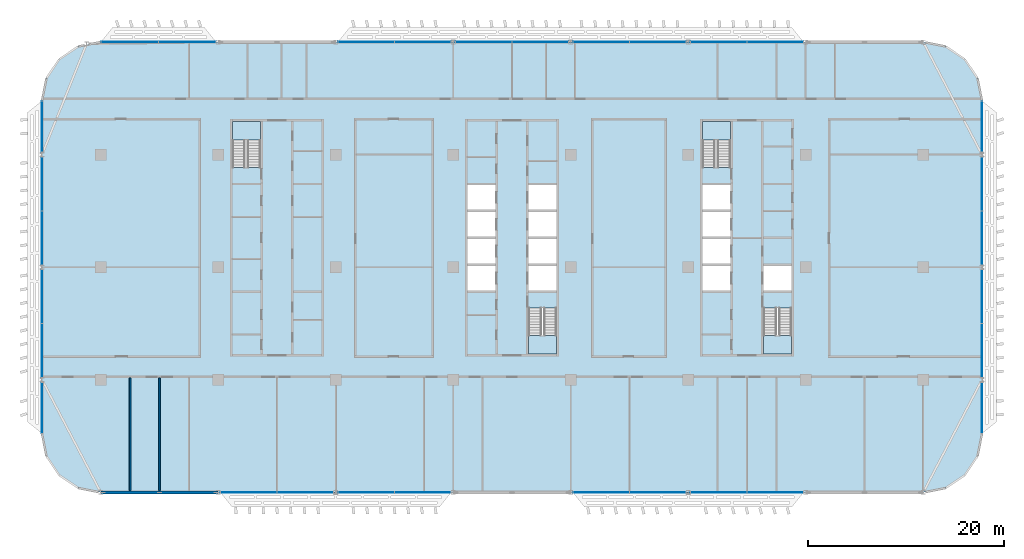
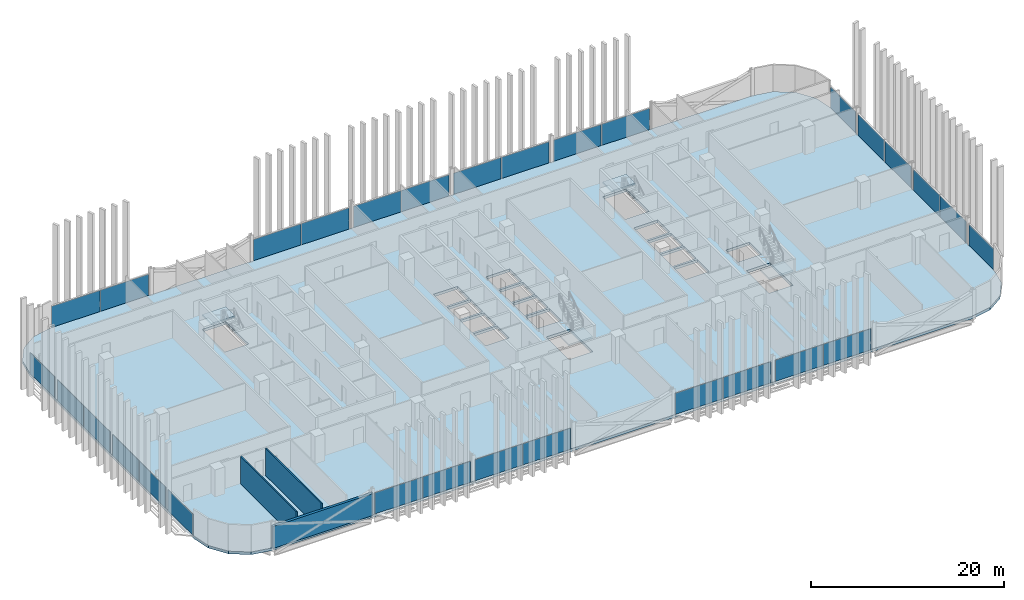
# One storey, part 11 of 28: 30 plates, 5 slabs, 3 walls, 21 elements without a shape of their own.
"""IFC4 building model written with IfcOpenShell, lengths in metres."""

from ifc_helpers import new_model, si_unit, direction, frame, frame_2d, origin, origin_2d, place, context, subcontext, project, spatial, polyline, rectangle, outline, extrude, material, layer, layer_set, type_object, element, aggregate, save


model = new_model("IFC4")

# Units and contexts
model_context = context("Model", 3, precision=1e-05, world=origin(), true_north=direction((0.0, 1.0)))
body_context = subcontext(model_context, "Body", "Model", "MODEL_VIEW")
ifc_project = project(units=[si_unit("LENGTHUNIT", "METRE"), si_unit("AREAUNIT", "SQUARE_METRE"), si_unit("VOLUMEUNIT", "CUBIC_METRE"), si_unit("PLANEANGLEUNIT", "RADIAN"), si_unit("MASSUNIT", "GRAM", prefix="KILO")], contexts=[model_context])

# Site, building, storey
site_placement = place(None, origin())
site = spatial("IfcSite", under=ifc_project, at=site_placement, CompositionType="ELEMENT")
building_placement = place(site_placement, origin())
building = spatial("IfcBuilding", under=site, at=building_placement, Name="Mahtab Terrace Research Tower", CompositionType="ELEMENT")
storey_placement = place(building_placement, frame((0.0, 0.0, 174.39990234375)))
storey = spatial("IfcBuildingStorey", under=building, at=storey_placement, Name="L41", CompositionType="ELEMENT", Elevation=174.39990234375)

# Stair, slab
ifc_material_1 = material(Name="Exit stair half-turn")
stair_type = type_object("IfcStairType", Name="Exit stair half-turn", PredefinedType="HALF_TURN_STAIR", material=ifc_material_1)
stair_1_placement = place(storey_placement, origin())
stair_1 = element("IfcStair", 1, at=stair_1_placement, inside=storey, type_object=stair_type, Name="L41 Protected exit stair ST1", PredefinedType="HALF_TURN_STAIR")
ifc_material_2 = material(Name="Concrete C40/50", Category="concrete")
ifc_layer_1 = layer(ifc_material_2, 0.199951171875)
ifc_layer_set_1 = layer_set([ifc_layer_1], Name="Exit stair landing 200")
slab_type_1 = type_object("IfcSlabType", Name="Exit stair landing 200", PredefinedType="LANDING", material=ifc_layer_set_1)
slab_1_placement = place(storey_placement, frame((0.0, 0.0, 1.7001953125)))
slab_1 = element("IfcSlab", 2, at=slab_1_placement, type_object=slab_type_1, Name="ST1 landing 1", PredefinedType="LANDING", context=body_context, shape_type="SweptSolid", body=[
    extrude(outline(polyline([(-25.699951171875, 12.97509765625), (-25.699951171875, 14.875), (-28.550048828125, 14.875), (-28.550048828125, 12.97509765625), (-25.699951171875, 12.97509765625)])), origin(), (0.0, 0.0, 1.0), 0.199951171875),
])
aggregate(stair_1, [slab_1])

stair_2_placement = place(storey_placement, origin())
stair_2 = element("IfcStair", 3, at=stair_2_placement, inside=storey, type_object=stair_type, Name="L41 Protected exit stair ST2", PredefinedType="HALF_TURN_STAIR")
slab_2_placement = place(storey_placement, frame((0.0, 0.0, 1.7001953125)))
slab_2 = element("IfcSlab", 4, at=slab_2_placement, type_object=slab_type_1, Name="ST2 landing 1", PredefinedType="LANDING", context=body_context, shape_type="SweptSolid", body=[
    extrude(outline(polyline([(1.699951171875, -6.97509765625), (1.699951171875, -8.875), (4.550048828125, -8.875), (4.550048828125, -6.97509765625), (1.699951171875, -6.97509765625)])), origin(), (0.0, 0.0, 1.0), 0.199951171875),
])
aggregate(stair_2, [slab_2])

stair_3_placement = place(storey_placement, origin())
stair_3 = element("IfcStair", 5, at=stair_3_placement, inside=storey, type_object=stair_type, Name="L41 Protected exit stair ST3", PredefinedType="HALF_TURN_STAIR")
slab_3_placement = place(storey_placement, frame((0.0, 0.0, 1.7001953125)))
slab_3 = element("IfcSlab", 6, at=slab_3_placement, type_object=slab_type_1, Name="ST3 landing 1", PredefinedType="LANDING", context=body_context, shape_type="SweptSolid", body=[
    extrude(outline(polyline([(22.300048828125, 12.97509765625), (22.300048828125, 14.875), (19.449951171875, 14.875), (19.449951171875, 12.97509765625), (22.300048828125, 12.97509765625)])), origin(), (0.0, 0.0, 1.0), 0.199951171875),
])
aggregate(stair_3, [slab_3])

stair_4_placement = place(storey_placement, origin())
stair_4 = element("IfcStair", 7, at=stair_4_placement, inside=storey, type_object=stair_type, Name="L41 Protected exit stair ST4", PredefinedType="HALF_TURN_STAIR")
slab_4_placement = place(storey_placement, frame((0.0, 0.0, 1.7001953125)))
slab_4 = element("IfcSlab", 8, at=slab_4_placement, type_object=slab_type_1, Name="ST4 landing 1", PredefinedType="LANDING", context=body_context, shape_type="SweptSolid", body=[
    extrude(outline(polyline([(25.699951171875, -6.97509765625), (25.699951171875, -8.875), (28.550048828125, -8.875), (28.550048828125, -6.97509765625), (25.699951171875, -6.97509765625)])), origin(), (0.0, 0.0, 1.0), 0.199951171875),
])
aggregate(stair_4, [slab_4])

# Curtain wall, plates
ifc_material_3 = material(Name="Laboratory ribbon curtain wall")
curtain_wall_type = type_object("IfcCurtainWallType", Name="Laboratory ribbon curtain wall", PredefinedType="NOTDEFINED", material=ifc_material_3)
curtain_wall_1_placement = place(storey_placement, origin())
curtain_wall_1 = element("IfcCurtainWall", 9, at=curtain_wall_1_placement, inside=storey, type_object=curtain_wall_type, Name="EN.L41.3.4", PredefinedType="NOTDEFINED")
ifc_material_4 = material(Name="Dark glazing", Category="glass")
ifc_layer_2 = layer(ifc_material_4, 0.031982421875)
ifc_layer_set_2 = layer_set([ifc_layer_2], Name="Laboratory ribbon curtain wall glazing panel")
plate_type = type_object("IfcPlateType", Name="Laboratory ribbon curtain wall glazing panel", PredefinedType="CURTAIN_PANEL", material=ifc_layer_set_2)
plate_1_placement = place(storey_placement, frame((26.879638671875, 23.0, 0.0), z_axis=(0.0, 0.0, 1.0), x_axis=(-1.0, 0.0, 0.0)))
plate_1 = element("IfcPlate", 10, at=plate_1_placement, type_object=plate_type, Name="CWL-5 panel 1", PredefinedType="CURTAIN_PANEL", context=body_context, shape_type="SweptSolid", body=[
    extrude(rectangle(XDim=5.694580078125, YDim=0.031982421875, at=origin_2d()), origin(), (0.0, 0.0, 1.0), 2.681884765625),
])
plate_2_placement = place(storey_placement, frame((21.120361328125, 23.0, 0.0), z_axis=(0.0, 0.0, 1.0), x_axis=(-1.0, 0.0, 0.0)))
plate_2 = element("IfcPlate", 11, at=plate_2_placement, type_object=plate_type, Name="CWL-5 panel 2", PredefinedType="CURTAIN_PANEL", context=body_context, shape_type="SweptSolid", body=[
    extrude(rectangle(XDim=5.694580078125, YDim=0.031982421875, at=origin_2d()), origin(), (0.0, 0.0, 1.0), 2.681884765625),
])
aggregate(curtain_wall_1, [plate_1, plate_2])

curtain_wall_2_placement = place(storey_placement, origin())
curtain_wall_2 = element("IfcCurtainWall", 12, at=curtain_wall_2_placement, inside=storey, type_object=curtain_wall_type, Name="EN.L41.3.5", PredefinedType="NOTDEFINED")
plate_3_placement = place(storey_placement, frame((14.879638671875, 23.0, 0.0), z_axis=(0.0, 0.0, 1.0), x_axis=(-1.0, 0.0, 0.0)))
plate_3 = element("IfcPlate", 13, at=plate_3_placement, type_object=plate_type, Name="CWL-5 panel 1", PredefinedType="CURTAIN_PANEL", context=body_context, shape_type="SweptSolid", body=[
    extrude(rectangle(XDim=5.694580078125, YDim=0.031982421875, at=origin_2d()), origin(), (0.0, 0.0, 1.0), 2.681884765625),
])
plate_4_placement = place(storey_placement, frame((9.120361328125, 23.0, 0.0), z_axis=(0.0, 0.0, 1.0), x_axis=(-1.0, 0.0, 0.0)))
plate_4 = element("IfcPlate", 14, at=plate_4_placement, type_object=plate_type, Name="CWL-5 panel 2", PredefinedType="CURTAIN_PANEL", context=body_context, shape_type="SweptSolid", body=[
    extrude(rectangle(XDim=5.694580078125, YDim=0.031982421875, at=origin_2d()), origin(), (0.0, 0.0, 1.0), 2.681884765625),
])
aggregate(curtain_wall_2, [plate_3, plate_4])

curtain_wall_3_placement = place(storey_placement, origin())
curtain_wall_3 = element("IfcCurtainWall", 15, at=curtain_wall_3_placement, inside=storey, type_object=curtain_wall_type, Name="EN.L41.3.6", PredefinedType="NOTDEFINED")
plate_5_placement = place(storey_placement, frame((2.879638671875, 23.0, 0.0), z_axis=(0.0, 0.0, 1.0), x_axis=(-1.0, 0.0, 0.0)))
plate_5 = element("IfcPlate", 16, at=plate_5_placement, type_object=plate_type, Name="CWL-5 panel 1", PredefinedType="CURTAIN_PANEL", context=body_context, shape_type="SweptSolid", body=[
    extrude(rectangle(XDim=5.694580078125, YDim=0.031982421875, at=origin_2d()), origin(), (0.0, 0.0, 1.0), 2.681884765625),
])
plate_6_placement = place(storey_placement, frame((-2.879638671875, 23.0, 0.0), z_axis=(0.0, 0.0, 1.0), x_axis=(-1.0, 0.0, 0.0)))
plate_6 = element("IfcPlate", 17, at=plate_6_placement, type_object=plate_type, Name="CWL-5 panel 2", PredefinedType="CURTAIN_PANEL", context=body_context, shape_type="SweptSolid", body=[
    extrude(rectangle(XDim=5.694580078125, YDim=0.031982421875, at=origin_2d()), origin(), (0.0, 0.0, 1.0), 2.681884765625),
])
aggregate(curtain_wall_3, [plate_5, plate_6])

curtain_wall_4_placement = place(storey_placement, origin())
curtain_wall_4 = element("IfcCurtainWall", 18, at=curtain_wall_4_placement, inside=storey, type_object=curtain_wall_type, Name="EN.L41.3.7", PredefinedType="NOTDEFINED")
plate_7_placement = place(storey_placement, frame((-9.120361328125, 23.0, 0.0), z_axis=(0.0, 0.0, 1.0), x_axis=(-1.0, 0.0, 0.0)))
plate_7 = element("IfcPlate", 19, at=plate_7_placement, type_object=plate_type, Name="CWL-5 panel 1", PredefinedType="CURTAIN_PANEL", context=body_context, shape_type="SweptSolid", body=[
    extrude(rectangle(XDim=5.694580078125, YDim=0.031982421875, at=origin_2d()), origin(), (0.0, 0.0, 1.0), 2.681884765625),
])
plate_8_placement = place(storey_placement, frame((-14.879638671875, 23.0, 0.0), z_axis=(0.0, 0.0, 1.0), x_axis=(-1.0, 0.0, 0.0)))
plate_8 = element("IfcPlate", 20, at=plate_8_placement, type_object=plate_type, Name="CWL-5 panel 2", PredefinedType="CURTAIN_PANEL", context=body_context, shape_type="SweptSolid", body=[
    extrude(rectangle(XDim=5.694580078125, YDim=0.031982421875, at=origin_2d()), origin(), (0.0, 0.0, 1.0), 2.681884765625),
])
aggregate(curtain_wall_4, [plate_7, plate_8])

curtain_wall_5_placement = place(storey_placement, origin())
curtain_wall_5 = element("IfcCurtainWall", 21, at=curtain_wall_5_placement, inside=storey, type_object=curtain_wall_type, Name="EN.L41.3.9", PredefinedType="NOTDEFINED")
plate_9_placement = place(storey_placement, frame((-33.17236328125, 23.0, 0.0), z_axis=(0.0, 0.0, 1.0), x_axis=(-1.0, 0.0, 0.0)))
plate_9 = element("IfcPlate", 22, at=plate_9_placement, type_object=plate_type, Name="CWL-5 panel 1", PredefinedType="CURTAIN_PANEL", context=body_context, shape_type="SweptSolid", body=[
    extrude(rectangle(XDim=5.798583984375, YDim=0.031982421875, at=origin_2d()), origin(), (0.0, 0.0, 1.0), 2.681884765625),
])
plate_10_placement = place(storey_placement, frame((-39.03564453125, 23.0, 0.0), z_axis=(0.0, 0.0, 1.0), x_axis=(-1.0, 0.0, 0.0)))
plate_10 = element("IfcPlate", 23, at=plate_10_placement, type_object=plate_type, Name="CWL-5 panel 2", PredefinedType="CURTAIN_PANEL", context=body_context, shape_type="SweptSolid", body=[
    extrude(rectangle(XDim=5.798583984375, YDim=0.031982421875, at=origin_2d()), origin(), (0.0, 0.0, 1.0), 2.681884765625),
])
aggregate(curtain_wall_5, [plate_9, plate_10])

# Curtain wall, plate
curtain_wall_6_placement = place(storey_placement, origin())
curtain_wall_6 = element("IfcCurtainWall", 24, at=curtain_wall_6_placement, inside=storey, type_object=curtain_wall_type, Name="EN.L41.8.15", PredefinedType="NOTDEFINED")
plate_11_placement = place(storey_placement, frame((-48.0, 14.35400390625, 0.0), z_axis=(0.0, 0.0, 1.0), x_axis=(0.0, -1.0, 0.0)))
plate_11 = element("IfcPlate", 25, at=plate_11_placement, type_object=plate_type, Name="CWL-5 panel 1", PredefinedType="CURTAIN_PANEL", context=body_context, shape_type="SweptSolid", body=[
    extrude(rectangle(XDim=5.162109375, YDim=0.031982421875, at=origin_2d()), origin(), (0.0, 0.0, 1.0), 2.681884765625),
])
aggregate(curtain_wall_6, [plate_11])

# Curtain wall, plates
curtain_wall_7_placement = place(storey_placement, origin())
curtain_wall_7 = element("IfcCurtainWall", 26, at=curtain_wall_7_placement, inside=storey, type_object=curtain_wall_type, Name="EN.L41.8.16", PredefinedType="NOTDEFINED")
plate_12_placement = place(storey_placement, frame((-48.0, 8.504638671875, 0.0), z_axis=(0.0, 0.0, 1.0), x_axis=(0.0, -1.0, 0.0)))
plate_12 = element("IfcPlate", 27, at=plate_12_placement, type_object=plate_type, Name="CWL-5 panel 1", PredefinedType="CURTAIN_PANEL", context=body_context, shape_type="SweptSolid", body=[
    extrude(rectangle(XDim=5.444580078125, YDim=0.031982421875, at=origin_2d()), origin(), (0.0, 0.0, 1.0), 2.681884765625),
])
plate_13_placement = place(storey_placement, frame((-48.0, 2.995361328125, 0.0), z_axis=(0.0, 0.0, 1.0), x_axis=(0.0, -1.0, 0.0)))
plate_13 = element("IfcPlate", 28, at=plate_13_placement, type_object=plate_type, Name="CWL-5 panel 2", PredefinedType="CURTAIN_PANEL", context=body_context, shape_type="SweptSolid", body=[
    extrude(rectangle(XDim=5.444580078125, YDim=0.031982421875, at=origin_2d()), origin(), (0.0, 0.0, 1.0), 2.681884765625),
])
aggregate(curtain_wall_7, [plate_12, plate_13])

curtain_wall_8_placement = place(storey_placement, origin())
curtain_wall_8 = element("IfcCurtainWall", 29, at=curtain_wall_8_placement, inside=storey, type_object=curtain_wall_type, Name="EN.L41.8.17", PredefinedType="NOTDEFINED")
plate_14_placement = place(storey_placement, frame((-48.0, -2.995361328125, 0.0), z_axis=(0.0, 0.0, 1.0), x_axis=(0.0, -1.0, 0.0)))
plate_14 = element("IfcPlate", 30, at=plate_14_placement, type_object=plate_type, Name="CWL-5 panel 1", PredefinedType="CURTAIN_PANEL", context=body_context, shape_type="SweptSolid", body=[
    extrude(rectangle(XDim=5.444580078125, YDim=0.031982421875, at=origin_2d()), origin(), (0.0, 0.0, 1.0), 2.681884765625),
])
plate_15_placement = place(storey_placement, frame((-48.0, -8.504638671875, 0.0), z_axis=(0.0, 0.0, 1.0), x_axis=(0.0, -1.0, 0.0)))
plate_15 = element("IfcPlate", 31, at=plate_15_placement, type_object=plate_type, Name="CWL-5 panel 2", PredefinedType="CURTAIN_PANEL", context=body_context, shape_type="SweptSolid", body=[
    extrude(rectangle(XDim=5.444580078125, YDim=0.031982421875, at=origin_2d()), origin(), (0.0, 0.0, 1.0), 2.681884765625),
])
aggregate(curtain_wall_8, [plate_14, plate_15])

# Curtain wall, plate
curtain_wall_9_placement = place(storey_placement, origin())
curtain_wall_9 = element("IfcCurtainWall", 32, at=curtain_wall_9_placement, inside=storey, type_object=curtain_wall_type, Name="EN.L41.8.18", PredefinedType="NOTDEFINED")
plate_16_placement = place(storey_placement, frame((-48.0, -14.35400390625, 0.0), z_axis=(0.0, 0.0, 1.0), x_axis=(0.0, -1.0, 0.0)))
plate_16 = element("IfcPlate", 33, at=plate_16_placement, type_object=plate_type, Name="CWL-5 panel 1", PredefinedType="CURTAIN_PANEL", context=body_context, shape_type="SweptSolid", body=[
    extrude(rectangle(XDim=5.162109375, YDim=0.031982421875, at=origin_2d()), origin(), (0.0, 0.0, 1.0), 2.681884765625),
])
aggregate(curtain_wall_9, [plate_16])

# Curtain wall, plates
curtain_wall_10_placement = place(storey_placement, origin())
curtain_wall_10 = element("IfcCurtainWall", 34, at=curtain_wall_10_placement, inside=storey, type_object=curtain_wall_type, Name="EN.L41.13.24", PredefinedType="NOTDEFINED")
plate_17_placement = place(storey_placement, frame((-26.879638671875, -23.0, 0.0), z_axis=(0.0, 0.0, 1.0), x_axis=(1.0, 0.0, 0.0)))
plate_17 = element("IfcPlate", 35, at=plate_17_placement, type_object=plate_type, Name="CWL-5 panel 1", PredefinedType="CURTAIN_PANEL", context=body_context, shape_type="SweptSolid", body=[
    extrude(rectangle(XDim=5.694580078125, YDim=0.031982421875, at=origin_2d()), origin(), (0.0, 0.0, 1.0), 2.681884765625),
])
plate_18_placement = place(storey_placement, frame((-21.120361328125, -23.0, 0.0), z_axis=(0.0, 0.0, 1.0), x_axis=(1.0, 0.0, 0.0)))
plate_18 = element("IfcPlate", 36, at=plate_18_placement, type_object=plate_type, Name="CWL-5 panel 2", PredefinedType="CURTAIN_PANEL", context=body_context, shape_type="SweptSolid", body=[
    extrude(rectangle(XDim=5.694580078125, YDim=0.031982421875, at=origin_2d()), origin(), (0.0, 0.0, 1.0), 2.681884765625),
])
aggregate(curtain_wall_10, [plate_17, plate_18])

curtain_wall_11_placement = place(storey_placement, origin())
curtain_wall_11 = element("IfcCurtainWall", 37, at=curtain_wall_11_placement, inside=storey, type_object=curtain_wall_type, Name="EN.L41.13.25", PredefinedType="NOTDEFINED")
plate_19_placement = place(storey_placement, frame((-14.879638671875, -23.0, 0.0), z_axis=(0.0, 0.0, 1.0), x_axis=(1.0, 0.0, 0.0)))
plate_19 = element("IfcPlate", 38, at=plate_19_placement, type_object=plate_type, Name="CWL-5 panel 1", PredefinedType="CURTAIN_PANEL", context=body_context, shape_type="SweptSolid", body=[
    extrude(rectangle(XDim=5.694580078125, YDim=0.031982421875, at=origin_2d()), origin(), (0.0, 0.0, 1.0), 2.681884765625),
])
plate_20_placement = place(storey_placement, frame((-9.120361328125, -23.0, 0.0), z_axis=(0.0, 0.0, 1.0), x_axis=(1.0, 0.0, 0.0)))
plate_20 = element("IfcPlate", 39, at=plate_20_placement, type_object=plate_type, Name="CWL-5 panel 2", PredefinedType="CURTAIN_PANEL", context=body_context, shape_type="SweptSolid", body=[
    extrude(rectangle(XDim=5.694580078125, YDim=0.031982421875, at=origin_2d()), origin(), (0.0, 0.0, 1.0), 2.681884765625),
])
aggregate(curtain_wall_11, [plate_19, plate_20])

curtain_wall_12_placement = place(storey_placement, origin())
curtain_wall_12 = element("IfcCurtainWall", 40, at=curtain_wall_12_placement, inside=storey, type_object=curtain_wall_type, Name="EN.L41.13.27", PredefinedType="NOTDEFINED")
plate_21_placement = place(storey_placement, frame((9.120361328125, -23.0, 0.0), z_axis=(0.0, 0.0, 1.0), x_axis=(1.0, 0.0, 0.0)))
plate_21 = element("IfcPlate", 41, at=plate_21_placement, type_object=plate_type, Name="CWL-5 panel 1", PredefinedType="CURTAIN_PANEL", context=body_context, shape_type="SweptSolid", body=[
    extrude(rectangle(XDim=5.694580078125, YDim=0.031982421875, at=origin_2d()), origin(), (0.0, 0.0, 1.0), 2.681884765625),
])
plate_22_placement = place(storey_placement, frame((14.879638671875, -23.0, 0.0), z_axis=(0.0, 0.0, 1.0), x_axis=(1.0, 0.0, 0.0)))
plate_22 = element("IfcPlate", 42, at=plate_22_placement, type_object=plate_type, Name="CWL-5 panel 2", PredefinedType="CURTAIN_PANEL", context=body_context, shape_type="SweptSolid", body=[
    extrude(rectangle(XDim=5.694580078125, YDim=0.031982421875, at=origin_2d()), origin(), (0.0, 0.0, 1.0), 2.681884765625),
])
aggregate(curtain_wall_12, [plate_21, plate_22])

curtain_wall_13_placement = place(storey_placement, origin())
curtain_wall_13 = element("IfcCurtainWall", 43, at=curtain_wall_13_placement, inside=storey, type_object=curtain_wall_type, Name="EN.L41.13.28", PredefinedType="NOTDEFINED")
plate_23_placement = place(storey_placement, frame((21.120361328125, -23.0, 0.0), z_axis=(0.0, 0.0, 1.0), x_axis=(1.0, 0.0, 0.0)))
plate_23 = element("IfcPlate", 44, at=plate_23_placement, type_object=plate_type, Name="CWL-5 panel 1", PredefinedType="CURTAIN_PANEL", context=body_context, shape_type="SweptSolid", body=[
    extrude(rectangle(XDim=5.694580078125, YDim=0.031982421875, at=origin_2d()), origin(), (0.0, 0.0, 1.0), 2.681884765625),
])
plate_24_placement = place(storey_placement, frame((26.879638671875, -23.0, 0.0), z_axis=(0.0, 0.0, 1.0), x_axis=(1.0, 0.0, 0.0)))
plate_24 = element("IfcPlate", 45, at=plate_24_placement, type_object=plate_type, Name="CWL-5 panel 2", PredefinedType="CURTAIN_PANEL", context=body_context, shape_type="SweptSolid", body=[
    extrude(rectangle(XDim=5.694580078125, YDim=0.031982421875, at=origin_2d()), origin(), (0.0, 0.0, 1.0), 2.681884765625),
])
aggregate(curtain_wall_13, [plate_23, plate_24])

# Curtain wall, plate
curtain_wall_14_placement = place(storey_placement, origin())
curtain_wall_14 = element("IfcCurtainWall", 46, at=curtain_wall_14_placement, inside=storey, type_object=curtain_wall_type, Name="EN.L41.18.34", PredefinedType="NOTDEFINED")
plate_25_placement = place(storey_placement, frame((48.0, -14.35400390625, 0.0), z_axis=(0.0, 0.0, 1.0), x_axis=(0.0, 1.0, 0.0)))
plate_25 = element("IfcPlate", 47, at=plate_25_placement, type_object=plate_type, Name="CWL-5 panel 1", PredefinedType="CURTAIN_PANEL", context=body_context, shape_type="SweptSolid", body=[
    extrude(rectangle(XDim=5.162109375, YDim=0.031982421875, at=origin_2d()), origin(), (0.0, 0.0, 1.0), 2.681884765625),
])
aggregate(curtain_wall_14, [plate_25])

# Curtain wall, plates
curtain_wall_15_placement = place(storey_placement, origin())
curtain_wall_15 = element("IfcCurtainWall", 48, at=curtain_wall_15_placement, inside=storey, type_object=curtain_wall_type, Name="EN.L41.18.35", PredefinedType="NOTDEFINED")
plate_26_placement = place(storey_placement, frame((48.0, -8.504638671875, 0.0), z_axis=(0.0, 0.0, 1.0), x_axis=(0.0, 1.0, 0.0)))
plate_26 = element("IfcPlate", 49, at=plate_26_placement, type_object=plate_type, Name="CWL-5 panel 1", PredefinedType="CURTAIN_PANEL", context=body_context, shape_type="SweptSolid", body=[
    extrude(rectangle(XDim=5.444580078125, YDim=0.031982421875, at=origin_2d()), origin(), (0.0, 0.0, 1.0), 2.681884765625),
])
plate_27_placement = place(storey_placement, frame((48.0, -2.995361328125, 0.0), z_axis=(0.0, 0.0, 1.0), x_axis=(0.0, 1.0, 0.0)))
plate_27 = element("IfcPlate", 50, at=plate_27_placement, type_object=plate_type, Name="CWL-5 panel 2", PredefinedType="CURTAIN_PANEL", context=body_context, shape_type="SweptSolid", body=[
    extrude(rectangle(XDim=5.444580078125, YDim=0.031982421875, at=origin_2d()), origin(), (0.0, 0.0, 1.0), 2.681884765625),
])
aggregate(curtain_wall_15, [plate_26, plate_27])

curtain_wall_16_placement = place(storey_placement, origin())
curtain_wall_16 = element("IfcCurtainWall", 51, at=curtain_wall_16_placement, inside=storey, type_object=curtain_wall_type, Name="EN.L41.18.36", PredefinedType="NOTDEFINED")
plate_28_placement = place(storey_placement, frame((48.0, 2.995361328125, 0.0), z_axis=(0.0, 0.0, 1.0), x_axis=(0.0, 1.0, 0.0)))
plate_28 = element("IfcPlate", 52, at=plate_28_placement, type_object=plate_type, Name="CWL-5 panel 1", PredefinedType="CURTAIN_PANEL", context=body_context, shape_type="SweptSolid", body=[
    extrude(rectangle(XDim=5.444580078125, YDim=0.031982421875, at=origin_2d()), origin(), (0.0, 0.0, 1.0), 2.681884765625),
])
plate_29_placement = place(storey_placement, frame((48.0, 8.504638671875, 0.0), z_axis=(0.0, 0.0, 1.0), x_axis=(0.0, 1.0, 0.0)))
plate_29 = element("IfcPlate", 53, at=plate_29_placement, type_object=plate_type, Name="CWL-5 panel 2", PredefinedType="CURTAIN_PANEL", context=body_context, shape_type="SweptSolid", body=[
    extrude(rectangle(XDim=5.444580078125, YDim=0.031982421875, at=origin_2d()), origin(), (0.0, 0.0, 1.0), 2.681884765625),
])
aggregate(curtain_wall_16, [plate_28, plate_29])

# Curtain wall, plate
curtain_wall_17_placement = place(storey_placement, origin())
curtain_wall_17 = element("IfcCurtainWall", 54, at=curtain_wall_17_placement, inside=storey, type_object=curtain_wall_type, Name="EN.L41.18.37", PredefinedType="NOTDEFINED")
plate_30_placement = place(storey_placement, frame((48.0, 14.35400390625, 0.0), z_axis=(0.0, 0.0, 1.0), x_axis=(0.0, 1.0, 0.0)))
plate_30 = element("IfcPlate", 55, at=plate_30_placement, type_object=plate_type, Name="CWL-5 panel 1", PredefinedType="CURTAIN_PANEL", context=body_context, shape_type="SweptSolid", body=[
    extrude(rectangle(XDim=5.162109375, YDim=0.031982421875, at=origin_2d()), origin(), (0.0, 0.0, 1.0), 2.681884765625),
])
aggregate(curtain_wall_17, [plate_30])

# Slab
ifc_layer_3 = layer(ifc_material_2, 0.340087890625)
ifc_layer_set_3 = layer_set([ifc_layer_3], Name="PT flat slab 340")
slab_type_2 = type_object("IfcSlabType", Name="PT flat slab 340", PredefinedType="FLOOR", material=ifc_layer_set_3)
slab_5_placement = place(storey_placement, frame((0.0, 0.0, -0.33984375)))
element("IfcSlab", 56, at=slab_5_placement, inside=storey, type_object=slab_type_2, Name="Floor slab L41", PredefinedType="FLOOR", context=body_context, shape_type="SweptSolid", body=[
    extrude(outline(polyline([(47.54296875, 19.2958984375), (46.242919921875, 21.242919921875), (44.2958984375, 22.54296875), (42.0, 23.0), (-42.0, 23.0), (-44.2958984375, 22.54296875), (-46.242919921875, 21.242919921875), (-47.54296875, 19.2958984375), (-48.0, 17.0), (-48.0, -17.0), (-47.54296875, -19.2958984375), (-46.242919921875, -21.242919921875), (-44.2958984375, -22.54296875), (-42.0, -23.0), (42.0, -23.0), (44.2958984375, -22.54296875), (46.242919921875, -21.242919921875), (47.54296875, -19.2958984375), (48.0, -17.0), (48.0, 17.0), (47.54296875, 19.2958984375)]), holes=[polyline([(-4.550048828125, -2.375), (-4.550048828125, 0.125), (-1.699951171875, 0.125), (-1.699951171875, -2.375), (-4.550048828125, -2.375)]), polyline([(1.699951171875, -2.375), (1.699951171875, 0.125), (4.550048828125, 0.125), (4.550048828125, -2.375), (1.699951171875, -2.375)]), polyline([(-4.550048828125, 0.375), (-4.550048828125, 2.875), (-1.699951171875, 2.875), (-1.699951171875, 0.375), (-4.550048828125, 0.375)]), polyline([(1.699951171875, 0.375), (1.699951171875, 2.875), (4.550048828125, 2.875), (4.550048828125, 0.375), (1.699951171875, 0.375)]), polyline([(-4.550048828125, 3.125), (-4.550048828125, 5.625), (-1.699951171875, 5.625), (-1.699951171875, 3.125), (-4.550048828125, 3.125)]), polyline([(1.699951171875, 3.125), (1.699951171875, 5.625), (4.550048828125, 5.625), (4.550048828125, 3.125), (1.699951171875, 3.125)]), polyline([(-4.550048828125, 5.875), (-4.550048828125, 8.375), (-1.699951171875, 8.375), (-1.699951171875, 5.875), (-4.550048828125, 5.875)]), polyline([(1.699951171875, 5.875), (1.699951171875, 8.375), (4.550048828125, 8.375), (4.550048828125, 5.875), (1.699951171875, 5.875)]), polyline([(-28.550048828125, 10.177001953125), (-28.550048828125, 14.875), (-25.699951171875, 14.875), (-25.699951171875, 10.177001953125), (-28.550048828125, 10.177001953125)]), polyline([(1.699951171875, -8.875), (1.699951171875, -4.177001953125), (4.550048828125, -4.177001953125), (4.550048828125, -8.875), (1.699951171875, -8.875)]), polyline([(25.699951171875, -8.875), (25.699951171875, -4.177001953125), (28.550048828125, -4.177001953125), (28.550048828125, -8.875), (25.699951171875, -8.875)]), polyline([(19.449951171875, -2.375), (19.449951171875, 0.125), (22.300048828125, 0.125), (22.300048828125, -2.375), (19.449951171875, -2.375)]), polyline([(25.699951171875, -2.375), (25.699951171875, 0.125), (28.550048828125, 0.125), (28.550048828125, -2.375), (25.699951171875, -2.375)]), polyline([(19.449951171875, 0.375), (19.449951171875, 2.875), (22.300048828125, 2.875), (22.300048828125, 0.375), (19.449951171875, 0.375)]), polyline([(19.449951171875, 3.125), (19.449951171875, 5.625), (22.300048828125, 5.625), (22.300048828125, 3.125), (19.449951171875, 3.125)]), polyline([(19.449951171875, 8.375), (22.300048828125, 8.375), (22.300048828125, 5.875), (19.449951171875, 5.875), (19.449951171875, 8.375)]), polyline([(19.449951171875, 14.875), (22.300048828125, 14.875), (22.300048828125, 10.177001953125), (19.449951171875, 10.177001953125), (19.449951171875, 14.875)])]), origin(), (0.0, 0.0, 1.0), 0.33984375),
])

# Walls
ifc_material_5 = material(Name="Black aluminium cladding panel", Category="aluminium")
ifc_layer_4 = layer(ifc_material_5, 0.300048828125)
ifc_layer_set_4 = layer_set([ifc_layer_4], Name="Opaque facade wall 300")
wall_type_1 = type_object("IfcWallType", Name="Opaque facade wall 300", PredefinedType="NOTDEFINED", material=ifc_layer_set_4)
wall_placement = place(storey_placement, frame((-41.985107421875, -23.0, 0.0), z_axis=(0.0, 0.0, 1.0), x_axis=(1.0, 0.0, 0.0)))
element("IfcWall", 57, at=wall_placement, inside=storey, type_object=wall_type_1, Name="Opaque facade wall L41 S23", PredefinedType="NOTDEFINED", context=body_context, shape_type="SweptSolid", body=[
    extrude(rectangle(XDim=11.97021484375, YDim=0.300048828125, at=frame_2d((5.985107421875, 0.0))), origin(), (0.0, 0.0, 1.0), 2.781982421875),
])
ifc_material_6 = material(Name="Gypsum board partition on steel studs", Category="steel")
ifc_layer_5 = layer(ifc_material_6, 0.14990234375)
ifc_layer_set_5 = layer_set([ifc_layer_5], Name="WALL PARTITION 150")
wall_type_2 = type_object("IfcWallType", Name="WALL PARTITION 150", PredefinedType="PARTITIONING", material=ifc_layer_set_5)
for number, where, z_axis, x_axis, name in (
    (58, (-39.0, -22.85009765625, 0.0), (0.0, 0.0, 1.0), (0.0, 1.0, 0.0), "L41-W028"),
    (59, (-36.0, -22.85009765625, 0.0), (0.0, 0.0, 1.0), (0.0, 1.0, 0.0), "L41-W029"),
):
    element("IfcWall", number, at=place(storey_placement, frame(where, z_axis=z_axis, x_axis=x_axis)), inside=storey, type_object=wall_type_2, Name=name, PredefinedType="PARTITIONING", context=body_context, shape_type="SweptSolid", body=[
        extrude(rectangle(XDim=11.550048828125, YDim=0.14990234375, at=frame_2d((5.77490234375, 0.0))), origin(), (0.0, 0.0, 1.0), 3.460205078125),
    ])

save(model, "model.ifc")
